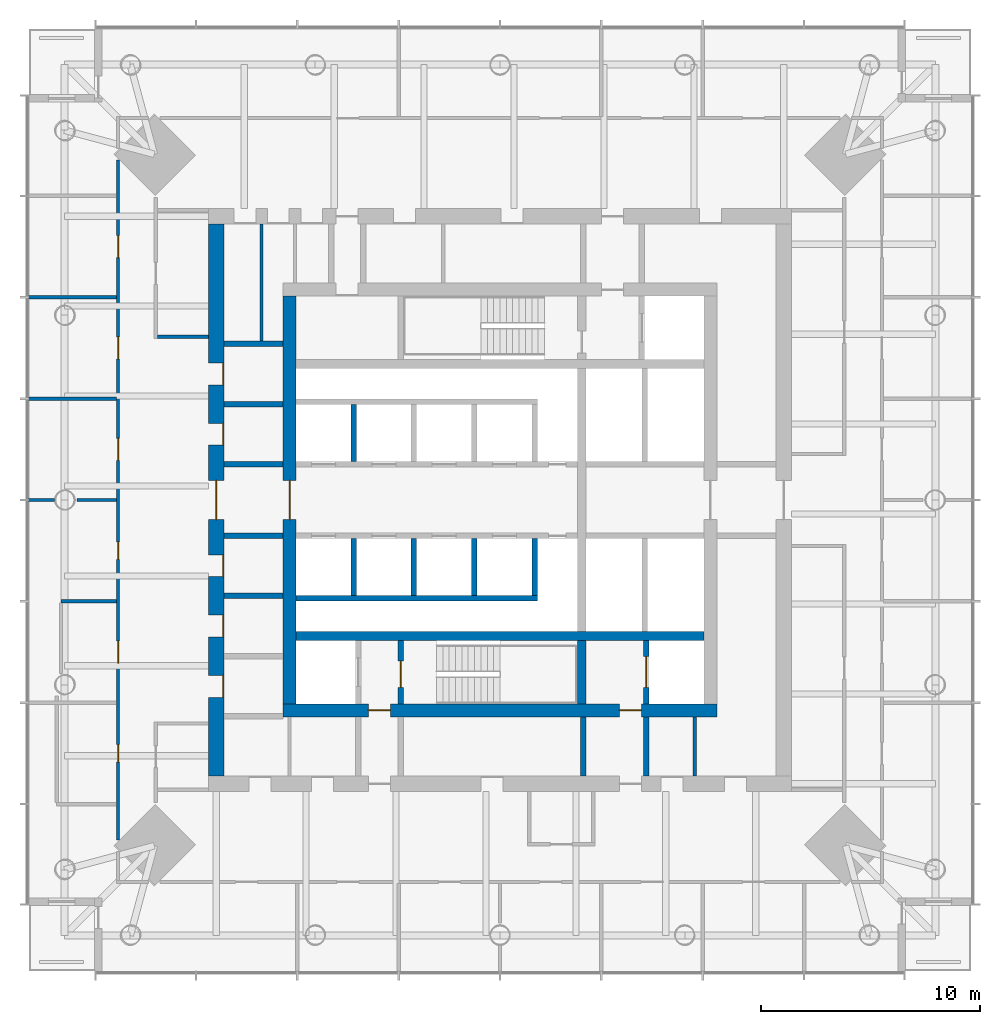
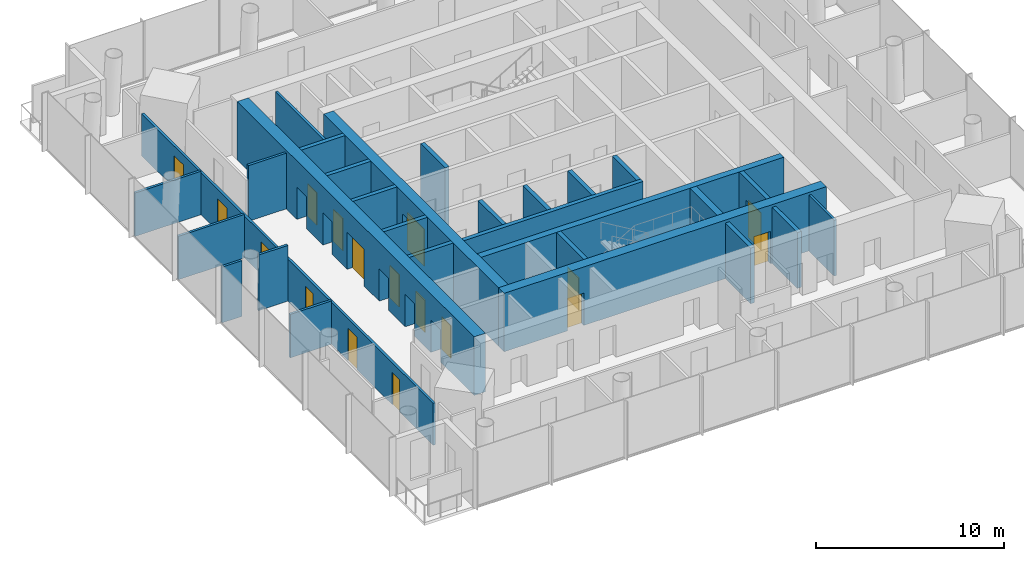
# One storey, part 5 of 9: 29 walls, 17 doors, 17 openings.
"""IFC4 building model written with IfcOpenShell, lengths in metres."""

from ifc_helpers import new_model, si_unit, direction, frame, frame_2d, origin, place, context, subcontext, project, spatial, rectangle, extrude, material, layer, layer_set, type_object, element, fill, save


model = new_model("IFC4")

# Units and contexts
model_context = context("Model", 3, precision=1e-05, world=origin(), true_north=direction((0.0, 1.0)))
body_context = subcontext(model_context, "Body", "Model", "MODEL_VIEW")
ifc_project = project(units=[si_unit("LENGTHUNIT", "METRE"), si_unit("AREAUNIT", "SQUARE_METRE"), si_unit("VOLUMEUNIT", "CUBIC_METRE"), si_unit("PLANEANGLEUNIT", "RADIAN"), si_unit("MASSUNIT", "GRAM", prefix="KILO")], contexts=[model_context])

# Site, building, storey
site_placement = place(None, origin())
site = spatial("IfcSite", under=ifc_project, at=site_placement, CompositionType="ELEMENT")
building_placement = place(site_placement, origin())
building = spatial("IfcBuilding", under=site, at=building_placement, Name="Ostroluk Exchange", CompositionType="ELEMENT")
storey_placement = place(building_placement, frame((0.0, 0.0, 150.199951171875)))
storey = spatial("IfcBuildingStorey", under=building, at=storey_placement, Name="L38", CompositionType="ELEMENT", Elevation=150.199951171875)

# Walls
ifc_material_1 = material(Name="Concrete blockwork", Category="masonry")
ifc_layer_1 = layer(ifc_material_1, 0.14990234375)
ifc_layer_set_1 = layer_set([ifc_layer_1], Name="Blockwork plant room wall 150")
wall_type_1 = type_object("IfcWallType", Name="Blockwork plant room wall 150", PredefinedType="SOLIDWALL", material=ifc_layer_set_1)
wall_1_placement = place(storey_placement, frame((34.118896484375, 53.25, 0.0), z_axis=(0.0, 0.0, 1.0), x_axis=(0.0, 1.0, 0.0)))
element("IfcWall", 1, at=wall_1_placement, inside=storey, type_object=wall_type_1, Name="Core room wall", PredefinedType="SOLIDWALL", context=body_context, shape_type="SweptSolid", body=[
    extrude(rectangle(XDim=5.35009765625, YDim=0.14990234375, at=frame_2d((2.675048828125, 0.0))), origin(), (0.0, 0.0, 1.0), 3.6201171875),
])
wall_2_placement = place(storey_placement, frame((53.887939453125, 33.39990234375, 0.0), z_axis=(0.0, 0.0, 1.0), x_axis=(0.0, 1.0, 0.0)))
element("IfcWall", 2, at=wall_2_placement, inside=storey, type_object=wall_type_1, Name="Core room wall", PredefinedType="SOLIDWALL", context=body_context, shape_type="SweptSolid", body=[
    extrude(rectangle(XDim=2.7001953125, YDim=0.14990234375, at=frame_2d((1.35009765625, 0.0))), origin(), (0.0, 0.0, 1.0), 3.6201171875),
])
ifc_material_2 = material(Name="Concrete blockwork", Category="masonry")
ifc_layer_2 = layer(ifc_material_2, 0.25)
ifc_layer_set_2 = layer_set([ifc_layer_2], Name="Blockwork stair enclosure wall 250")
wall_type_2 = type_object("IfcWallType", Name="Blockwork stair enclosure wall 250", PredefinedType="SOLIDWALL", material=ifc_layer_set_2)
for number, where, z_axis, x_axis, name in (
    (3, (48.804931640625, 33.39990234375, 0.0), (0.0, 0.0, 1.0), (0.0, 1.0, 0.0), "Service lobby enclosure wall"),
    (4, (51.675048828125, 33.39990234375, 0.0), (0.0, 0.0, 1.0), (0.0, 1.0, 0.0), "Service lobby enclosure wall"),
):
    element("IfcWall", number, at=place(storey_placement, frame(where, z_axis=z_axis, x_axis=x_axis)), inside=storey, type_object=wall_type_2, Name=name, PredefinedType="SOLIDWALL", context=body_context, shape_type="SweptSolid", body=[
        extrude(rectangle(XDim=2.7001953125, YDim=0.25, at=frame_2d((1.35009765625, 0.0))), origin(), (0.0, 0.0, 1.0), 3.6201171875),
    ])
ifc_material_3 = material(Name="Concrete C50/60", Category="concrete")
ifc_layer_3 = layer(ifc_material_3, 0.39990234375)
ifc_layer_set_3 = layer_set([ifc_layer_3], Name="Core cross wall 400 C50/60")
wall_type_3 = type_object("IfcWallType", Name="Core cross wall 400 C50/60", PredefinedType="SHEAR", material=ifc_layer_set_3)
wall_3_placement = place(storey_placement, frame((35.699951171875, 39.800048828125, 0.0), z_axis=(0.0, 0.0, 1.0), x_axis=(1.0, 0.0, 0.0)))
element("IfcWall", 5, at=wall_3_placement, inside=storey, type_object=wall_type_3, Name="T1 core wall XS", PredefinedType="SHEAR", context=body_context, shape_type="SweptSolid", body=[
    extrude(rectangle(XDim=18.60009765625, YDim=0.39990234375, at=frame_2d((9.300048828125, 0.0))), origin(), (0.0, 0.0, 1.0), 3.800048828125),
])
wall_4_placement = place(storey_placement, frame((48.72998046875, 36.699951171875, 0.0), z_axis=(0.0, 0.0, 1.0), x_axis=(0.0, 1.0, 0.0)))
element("IfcWall", 6, at=wall_4_placement, inside=storey, type_object=wall_type_3, Name="T1 core wall YE1", PredefinedType="SHEAR", context=body_context, shape_type="SweptSolid", body=[
    extrude(rectangle(XDim=2.900146484375, YDim=0.39990234375, at=frame_2d((1.4501953125, 0.0))), origin(), (0.0, 0.0, 1.0), 3.800048828125),
])

# Wall, opening, door
ifc_material_4 = material(Name="Concrete C40/50", Category="concrete")
ifc_layer_4 = layer(ifc_material_4, 0.25)
ifc_layer_set_4 = layer_set([ifc_layer_4], Name="Core shaft wall 250")
wall_type_4 = type_object("IfcWallType", Name="Core shaft wall 250", PredefinedType="SHEAR", material=ifc_layer_set_4)
wall_5_placement = place(storey_placement, frame((40.47509765625, 36.699951171875, 0.0), z_axis=(0.0, 0.0, 1.0), x_axis=(0.0, 1.0, 0.0)))
wall_5 = element("IfcWall", 7, at=wall_5_placement, inside=storey, type_object=wall_type_4, Name="Stair shaft wall", PredefinedType="SHEAR", context=body_context, shape_type="SweptSolid", body=[
    extrude(rectangle(XDim=2.900146484375, YDim=0.25, at=frame_2d((1.4501953125, 0.0))), origin(), (0.0, 0.0, 1.0), 3.800048828125),
])
opening_1_placement = place(wall_5_placement, frame((0.75, 0.0, 0.0)))
opening_1 = element("IfcOpeningElement", 8, at=opening_1_placement, cuts=wall_5, Name="Opening FD60S", PredefinedType="OPENING", context=body_context, shape_type="SweptSolid", body=[
    extrude(rectangle(XDim=1.199951171875, YDim=2.10009765625, at=frame_2d((0.60009765625, 1.050048828125))), frame((0.0, 0.135009765625, 0.0), z_axis=(0.0, -1.0, 0.0), x_axis=(1.0, 0.0, 0.0)), (0.0, 0.0, 1.0), 0.27001953125),
])
ifc_material_5 = material(Name="Steel", Category="steel")
door_type_1 = type_object("IfcDoorType", Name="Stair door EI 60 1200 x 2100", OperationType="SINGLE_SWING_LEFT", PredefinedType="DOOR", material=ifc_material_5)
door_1_placement = place(opening_1_placement, origin())
door_1 = element("IfcDoor", 9, at=door_1_placement, inside=storey, type_object=door_type_1, Name="Stair T1-S1 door", OperationType="SINGLE_SWING_LEFT", OverallHeight=2.10009765625, OverallWidth=1.199951171875, PredefinedType="DOOR", context=body_context, shape_type="SweptSolid", body=[
    extrude(rectangle(XDim=1.199951171875, YDim=2.10009765625, at=frame_2d((0.60009765625, 1.050048828125))), frame((0.0, 0.02490234375, 0.0), z_axis=(0.0, -1.0, 0.0), x_axis=(1.0, 0.0, 0.0)), (0.0, 0.0, 1.0), 0.050048828125),
])
fill(opening_1, door_1)

wall_6_placement = place(storey_placement, frame((51.675048828125, 36.699951171875, 0.0), z_axis=(0.0, 0.0, 1.0), x_axis=(0.0, 1.0, 0.0)))
wall_6 = element("IfcWall", 10, at=wall_6_placement, inside=storey, type_object=wall_type_4, Name="Service lift shaft wall", PredefinedType="SHEAR", context=body_context, shape_type="SweptSolid", body=[
    extrude(rectangle(XDim=2.900146484375, YDim=0.25, at=frame_2d((1.4501953125, 0.0))), origin(), (0.0, 0.0, 1.0), 3.800048828125),
])
opening_2_placement = place(wall_6_placement, frame((0.75, 0.0, 0.0)))
opening_2 = element("IfcOpeningElement", 11, at=opening_2_placement, cuts=wall_6, Name="Opening LD3", PredefinedType="OPENING", context=body_context, shape_type="SweptSolid", body=[
    extrude(rectangle(XDim=1.39990234375, YDim=2.39990234375, at=frame_2d((0.699951171875, 1.199951171875))), frame((0.0, 0.135009765625, 0.0), z_axis=(0.0, -1.0, 0.0), x_axis=(1.0, 0.0, 0.0)), (0.0, 0.0, 1.0), 0.27001953125),
])
ifc_material_6 = material(Name="Stainless steel", Category="steel")
door_type_2 = type_object("IfcDoorType", Name="Goods lift landing door E 60 1400 x 2400", OperationType="DOUBLE_DOOR_SLIDING", PredefinedType="DOOR", material=ifc_material_6)
door_2_placement = place(opening_2_placement, origin())
door_2 = element("IfcDoor", 12, at=door_2_placement, inside=storey, type_object=door_type_2, Name="Lift SL1 landing door", OperationType="DOUBLE_DOOR_SLIDING", OverallHeight=2.39990234375, OverallWidth=1.39990234375, PredefinedType="DOOR", context=body_context, shape_type="SweptSolid", body=[
    extrude(rectangle(XDim=1.39990234375, YDim=2.39990234375, at=frame_2d((0.699951171875, 1.199951171875))), frame((0.0, 0.02490234375, 0.0), z_axis=(0.0, -1.0, 0.0), x_axis=(1.0, 0.0, 0.0)), (0.0, 0.0, 1.0), 0.050048828125),
])
fill(opening_2, door_2)

# Walls
for number, where, z_axis, x_axis, name in (
    (13, (38.324951171875, 47.75, 0.0), (0.0, 0.0, 1.0), (0.0, 1.0, 0.0), "Lift shaft wall"),
    (14, (38.324951171875, 44.25, 0.0), (0.0, 0.0, 1.0), (0.0, -1.0, 0.0), "Lift shaft wall"),
    (15, (41.074951171875, 44.25, 0.0), (0.0, 0.0, 1.0), (0.0, -1.0, 0.0), "Lift shaft wall"),
    (16, (43.824951171875, 44.25, 0.0), (0.0, 0.0, 1.0), (0.0, -1.0, 0.0), "Lift shaft wall"),
    (17, (46.574951171875, 44.25, 0.0), (0.0, 0.0, 1.0), (0.0, -1.0, 0.0), "Lift shaft wall"),
):
    element("IfcWall", number, at=place(storey_placement, frame(where, z_axis=z_axis, x_axis=x_axis)), inside=storey, type_object=wall_type_4, Name=name, PredefinedType="SHEAR", context=body_context, shape_type="SweptSolid", body=[
        extrude(rectangle(XDim=2.60009765625, YDim=0.25, at=frame_2d((1.300048828125, 0.0))), origin(), (0.0, 0.0, 1.0), 3.800048828125),
    ])
wall_7_placement = place(storey_placement, frame((35.699951171875, 41.52490234375, 0.0), z_axis=(0.0, 0.0, 1.0), x_axis=(1.0, 0.0, 0.0)))
element("IfcWall", 18, at=wall_7_placement, inside=storey, type_object=wall_type_4, Name="Lift shaft wall", PredefinedType="SHEAR", context=body_context, shape_type="SweptSolid", body=[
    extrude(rectangle(XDim=11.0, YDim=0.25, at=frame_2d((5.5, 0.0))), origin(), (0.0, 0.0, 1.0), 3.800048828125),
])
for number, where, z_axis, x_axis, name in (
    (19, (32.39990234375, 41.625, 0.0), (0.0, 0.0, 1.0), (1.0, 0.0, 0.0), "Lift shaft wall"),
    (20, (32.39990234375, 44.375, 0.0), (0.0, 0.0, 1.0), (1.0, 0.0, 0.0), "Lift shaft wall"),
    (21, (32.39990234375, 47.625, 0.0), (0.0, 0.0, 1.0), (1.0, 0.0, 0.0), "Lift shaft wall"),
    (22, (32.39990234375, 50.375, 0.0), (0.0, 0.0, 1.0), (1.0, 0.0, 0.0), "Lift shaft wall"),
    (23, (32.39990234375, 53.125, 0.0), (0.0, 0.0, 1.0), (1.0, 0.0, 0.0), "Lift shaft wall"),
):
    element("IfcWall", number, at=place(storey_placement, frame(where, z_axis=z_axis, x_axis=x_axis)), inside=storey, type_object=wall_type_4, Name=name, PredefinedType="SHEAR", context=body_context, shape_type="SweptSolid", body=[
        extrude(rectangle(XDim=2.7001953125, YDim=0.25, at=frame_2d((1.35009765625, 0.0))), origin(), (0.0, 0.0, 1.0), 3.800048828125),
    ])

# Wall, openings, doors
ifc_material_7 = material(Name="Concrete C50/60", Category="concrete")
ifc_layer_5 = layer(ifc_material_7, 0.60009765625)
ifc_layer_set_5 = layer_set([ifc_layer_5], Name="Core wall 600 C50/60")
wall_type_5 = type_object("IfcWallType", Name="Core wall 600 C50/60", PredefinedType="SHEAR", material=ifc_layer_set_5)
wall_8_placement = place(storey_placement, frame((35.10009765625, 36.39990234375, 0.0), z_axis=(0.0, 0.0, 1.0), x_axis=(1.0, 0.0, 0.0)))
wall_8 = element("IfcWall", 24, at=wall_8_placement, inside=storey, type_object=wall_type_5, Name="T1 core wall S", PredefinedType="SHEAR", context=body_context, shape_type="SweptSolid", body=[
    extrude(rectangle(XDim=19.7998046875, YDim=0.60009765625, at=frame_2d((9.89990234375, 0.0))), origin(), (0.0, 0.0, 1.0), 3.800048828125),
])
opening_3_placement = place(wall_8_placement, frame((3.89990234375, 0.0, 0.0)))
opening_3 = element("IfcOpeningElement", 25, at=opening_3_placement, cuts=wall_8, Name="Opening FD60", PredefinedType="OPENING", context=body_context, shape_type="SweptSolid", body=[
    extrude(rectangle(XDim=1.0, YDim=2.10009765625, at=frame_2d((0.5, 1.050048828125))), frame((0.0, 0.31005859375, 0.0), z_axis=(0.0, -1.0, 0.0), x_axis=(1.0, 0.0, 0.0)), (0.0, 0.0, 1.0), 0.6201171875),
])
opening_4_placement = place(wall_8_placement, frame((15.35009765625, 0.0, 0.0)))
opening_4 = element("IfcOpeningElement", 26, at=opening_4_placement, cuts=wall_8, Name="Opening FD60", PredefinedType="OPENING", context=body_context, shape_type="SweptSolid", body=[
    extrude(rectangle(XDim=1.0, YDim=2.10009765625, at=frame_2d((0.5, 1.050048828125))), frame((0.0, 0.31005859375, 0.0), z_axis=(0.0, -1.0, 0.0), x_axis=(1.0, 0.0, 0.0)), (0.0, 0.0, 1.0), 0.6201171875),
])
ifc_material_8 = material(Name="Steel", Category="steel")
door_type_3 = type_object("IfcDoorType", Name="Fire door EI 60 1000 x 2100", OperationType="SINGLE_SWING_LEFT", PredefinedType="DOOR", material=ifc_material_8)
door_3_placement = place(opening_3_placement, origin())
door_3 = element("IfcDoor", 27, at=door_3_placement, inside=storey, type_object=door_type_3, Name="Firefighting lobby door", OperationType="SINGLE_SWING_LEFT", OverallHeight=2.10009765625, OverallWidth=1.0, PredefinedType="DOOR", context=body_context, shape_type="SweptSolid", body=[
    extrude(rectangle(XDim=1.0, YDim=2.10009765625, at=frame_2d((0.5, 1.050048828125))), frame((0.0, 0.02490234375, 0.0), z_axis=(0.0, -1.0, 0.0), x_axis=(1.0, 0.0, 0.0)), (0.0, 0.0, 1.0), 0.050048828125),
])
fill(opening_3, door_3)
door_4_placement = place(opening_4_placement, origin())
door_4 = element("IfcDoor", 28, at=door_4_placement, inside=storey, type_object=door_type_3, Name="Service lobby door", OperationType="SINGLE_SWING_RIGHT", OverallHeight=2.10009765625, OverallWidth=1.0, PredefinedType="DOOR", context=body_context, shape_type="SweptSolid", body=[
    extrude(rectangle(XDim=1.0, YDim=2.10009765625, at=frame_2d((0.5, 1.050048828125))), frame((0.0, 0.02490234375, 0.0), z_axis=(0.0, -1.0, 0.0), x_axis=(1.0, 0.0, 0.0)), (0.0, 0.0, 1.0), 0.050048828125),
])
fill(opening_4, door_4)

# Wall, opening, door
wall_9_placement = place(storey_placement, frame((35.39990234375, 36.699951171875, 0.0), z_axis=(0.0, 0.0, 1.0), x_axis=(0.0, 1.0, 0.0)))
wall_9 = element("IfcWall", 29, at=wall_9_placement, inside=storey, type_object=wall_type_5, Name="T1 core wall W", PredefinedType="SHEAR", context=body_context, shape_type="SweptSolid", body=[
    extrude(rectangle(XDim=18.60009765625, YDim=0.60009765625, at=frame_2d((9.300048828125, 0.0))), origin(), (0.0, 0.0, 1.0), 3.800048828125),
])
opening_5_placement = place(wall_9_placement, frame((8.39990234375, 0.0, 0.0)))
opening_5 = element("IfcOpeningElement", 30, at=opening_5_placement, cuts=wall_9, Name="Opening FD30D", PredefinedType="OPENING", context=body_context, shape_type="SweptSolid", body=[
    extrude(rectangle(XDim=1.800048828125, YDim=2.39990234375, at=frame_2d((0.89990234375, 1.199951171875))), frame((0.0, 0.31005859375, 0.0), z_axis=(0.0, -1.0, 0.0), x_axis=(1.0, 0.0, 0.0)), (0.0, 0.0, 1.0), 0.6201171875),
])
ifc_material_9 = material(Name="Timber", Category="wood")
door_type_4 = type_object("IfcDoorType", Name="Lobby double door EI 30 1800 x 2400", OperationType="DOUBLE_DOOR_SINGLE_SWING", PredefinedType="DOOR", material=ifc_material_9)
door_5_placement = place(opening_5_placement, origin())
door_5 = element("IfcDoor", 31, at=door_5_placement, inside=storey, type_object=door_type_4, Name="Lift lobby doors", OperationType="DOUBLE_DOOR_SINGLE_SWING", OverallHeight=2.39990234375, OverallWidth=1.800048828125, PredefinedType="DOOR", context=body_context, shape_type="SweptSolid", body=[
    extrude(rectangle(XDim=1.800048828125, YDim=2.39990234375, at=frame_2d((0.89990234375, 1.199951171875))), frame((0.0, 0.02490234375, 0.0), z_axis=(0.0, -1.0, 0.0), x_axis=(1.0, 0.0, 0.0)), (0.0, 0.0, 1.0), 0.050048828125),
])
fill(opening_5, door_5)

# Wall, openings, doors
ifc_material_10 = material(Name="Concrete C50/60", Category="concrete")
ifc_layer_6 = layer(ifc_material_10, 0.699951171875)
ifc_layer_set_6 = layer_set([ifc_layer_6], Name="Core wall 700 C50/60")
wall_type_6 = type_object("IfcWallType", Name="Core wall 700 C50/60", PredefinedType="SHEAR", material=ifc_layer_set_6)
wall_10_placement = place(storey_placement, frame((32.050048828125, 33.39990234375, 0.0), z_axis=(0.0, 0.0, 1.0), x_axis=(0.0, 1.0, 0.0)))
wall_10 = element("IfcWall", 32, at=wall_10_placement, inside=storey, type_object=wall_type_6, Name="T1 core wall RW", PredefinedType="SHEAR", context=body_context, shape_type="SweptSolid", body=[
    extrude(rectangle(XDim=25.2001953125, YDim=0.699951171875, at=frame_2d((12.60009765625, 0.0))), origin(), (0.0, 0.0, 1.0), 3.800048828125),
])
opening_6_placement = place(wall_10_placement, frame((11.699951171875, 0.0, 0.0)))
opening_6 = element("IfcOpeningElement", 33, at=opening_6_placement, cuts=wall_10, Name="Opening FD30D", PredefinedType="OPENING", context=body_context, shape_type="SweptSolid", body=[
    extrude(rectangle(XDim=1.800048828125, YDim=2.39990234375, at=frame_2d((0.89990234375, 1.199951171875))), frame((0.0, 0.35986328125, 0.0), z_axis=(0.0, -1.0, 0.0), x_axis=(1.0, 0.0, 0.0)), (0.0, 0.0, 1.0), 0.719970703125),
])
opening_7_placement = place(wall_10_placement, frame((3.60009765625, 0.0, 0.0)))
opening_7 = element("IfcOpeningElement", 34, at=opening_7_placement, cuts=wall_10, Name="Opening FD60", PredefinedType="OPENING", context=body_context, shape_type="SweptSolid", body=[
    extrude(rectangle(XDim=1.0, YDim=2.10009765625, at=frame_2d((0.5, 1.050048828125))), frame((0.0, 0.35986328125, 0.0), z_axis=(0.0, -1.0, 0.0), x_axis=(1.0, 0.0, 0.0)), (0.0, 0.0, 1.0), 0.719970703125),
])
opening_8_placement = place(wall_10_placement, frame((6.35009765625, 0.0, 0.0)))
opening_8 = element("IfcOpeningElement", 35, at=opening_8_placement, cuts=wall_10, Name="Opening FD60", PredefinedType="OPENING", context=body_context, shape_type="SweptSolid", body=[
    extrude(rectangle(XDim=1.0, YDim=2.10009765625, at=frame_2d((0.5, 1.050048828125))), frame((0.0, 0.35986328125, 0.0), z_axis=(0.0, -1.0, 0.0), x_axis=(1.0, 0.0, 0.0)), (0.0, 0.0, 1.0), 0.719970703125),
])
opening_9_placement = place(wall_10_placement, frame((9.10009765625, 0.0, 0.0)))
opening_9 = element("IfcOpeningElement", 36, at=opening_9_placement, cuts=wall_10, Name="Opening FD60", PredefinedType="OPENING", context=body_context, shape_type="SweptSolid", body=[
    extrude(rectangle(XDim=1.0, YDim=2.10009765625, at=frame_2d((0.5, 1.050048828125))), frame((0.0, 0.35986328125, 0.0), z_axis=(0.0, -1.0, 0.0), x_axis=(1.0, 0.0, 0.0)), (0.0, 0.0, 1.0), 0.719970703125),
])
opening_10_placement = place(wall_10_placement, frame((15.10009765625, 0.0, 0.0)))
opening_10 = element("IfcOpeningElement", 37, at=opening_10_placement, cuts=wall_10, Name="Opening FD60", PredefinedType="OPENING", context=body_context, shape_type="SweptSolid", body=[
    extrude(rectangle(XDim=1.0, YDim=2.10009765625, at=frame_2d((0.5, 1.050048828125))), frame((0.0, 0.35986328125, 0.0), z_axis=(0.0, -1.0, 0.0), x_axis=(1.0, 0.0, 0.0)), (0.0, 0.0, 1.0), 0.719970703125),
])
opening_11_placement = place(wall_10_placement, frame((17.85009765625, 0.0, 0.0)))
opening_11 = element("IfcOpeningElement", 38, at=opening_11_placement, cuts=wall_10, Name="Opening FD60", PredefinedType="OPENING", context=body_context, shape_type="SweptSolid", body=[
    extrude(rectangle(XDim=1.0, YDim=2.10009765625, at=frame_2d((0.5, 1.050048828125))), frame((0.0, 0.35986328125, 0.0), z_axis=(0.0, -1.0, 0.0), x_axis=(1.0, 0.0, 0.0)), (0.0, 0.0, 1.0), 0.719970703125),
])
door_6_placement = place(opening_7_placement, origin())
door_6 = element("IfcDoor", 39, at=door_6_placement, inside=storey, type_object=door_type_3, Name="Cleaner's store door", OperationType="SINGLE_SWING_LEFT", OverallHeight=2.10009765625, OverallWidth=1.0, PredefinedType="DOOR", context=body_context, shape_type="SweptSolid", body=[
    extrude(rectangle(XDim=1.0, YDim=2.10009765625, at=frame_2d((0.5, 1.050048828125))), frame((0.0, -0.2900390625, 0.0), z_axis=(0.0, -1.0, 0.0), x_axis=(1.0, 0.0, 0.0)), (0.0, 0.0, 1.0), 0.050048828125),
])
fill(opening_7, door_6)
door_7_placement = place(opening_8_placement, origin())
door_7 = element("IfcDoor", 40, at=door_7_placement, inside=storey, type_object=door_type_3, Name="Comms room door", OperationType="SINGLE_SWING_LEFT", OverallHeight=2.10009765625, OverallWidth=1.0, PredefinedType="DOOR", context=body_context, shape_type="SweptSolid", body=[
    extrude(rectangle(XDim=1.0, YDim=2.10009765625, at=frame_2d((0.5, 1.050048828125))), frame((0.0, -0.2900390625, 0.0), z_axis=(0.0, -1.0, 0.0), x_axis=(1.0, 0.0, 0.0)), (0.0, 0.0, 1.0), 0.050048828125),
])
fill(opening_8, door_7)
door_8_placement = place(opening_9_placement, origin())
door_8 = element("IfcDoor", 41, at=door_8_placement, inside=storey, type_object=door_type_3, Name="Cleaner's store door", OperationType="SINGLE_SWING_LEFT", OverallHeight=2.10009765625, OverallWidth=1.0, PredefinedType="DOOR", context=body_context, shape_type="SweptSolid", body=[
    extrude(rectangle(XDim=1.0, YDim=2.10009765625, at=frame_2d((0.5, 1.050048828125))), frame((0.0, -0.2900390625, 0.0), z_axis=(0.0, -1.0, 0.0), x_axis=(1.0, 0.0, 0.0)), (0.0, 0.0, 1.0), 0.050048828125),
])
fill(opening_9, door_8)
door_9_placement = place(opening_10_placement, origin())
door_9 = element("IfcDoor", 42, at=door_9_placement, inside=storey, type_object=door_type_3, Name="Comms room door", OperationType="SINGLE_SWING_RIGHT", OverallHeight=2.10009765625, OverallWidth=1.0, PredefinedType="DOOR", context=body_context, shape_type="SweptSolid", body=[
    extrude(rectangle(XDim=1.0, YDim=2.10009765625, at=frame_2d((0.5, 1.050048828125))), frame((0.0, -0.2900390625, 0.0), z_axis=(0.0, -1.0, 0.0), x_axis=(1.0, 0.0, 0.0)), (0.0, 0.0, 1.0), 0.050048828125),
])
fill(opening_10, door_9)
door_10_placement = place(opening_11_placement, origin())
door_10 = element("IfcDoor", 43, at=door_10_placement, inside=storey, type_object=door_type_3, Name="Cleaner's store door", OperationType="SINGLE_SWING_RIGHT", OverallHeight=2.10009765625, OverallWidth=1.0, PredefinedType="DOOR", context=body_context, shape_type="SweptSolid", body=[
    extrude(rectangle(XDim=1.0, YDim=2.10009765625, at=frame_2d((0.5, 1.050048828125))), frame((0.0, -0.2900390625, 0.0), z_axis=(0.0, -1.0, 0.0), x_axis=(1.0, 0.0, 0.0)), (0.0, 0.0, 1.0), 0.050048828125),
])
fill(opening_11, door_10)
door_11_placement = place(opening_6_placement, origin())
door_11 = element("IfcDoor", 44, at=door_11_placement, inside=storey, type_object=door_type_4, Name="Lift lobby doors", OperationType="DOUBLE_DOOR_SINGLE_SWING", OverallHeight=2.39990234375, OverallWidth=1.800048828125, PredefinedType="DOOR", context=body_context, shape_type="SweptSolid", body=[
    extrude(rectangle(XDim=1.800048828125, YDim=2.39990234375, at=frame_2d((0.89990234375, 1.199951171875))), frame((0.0, 0.02490234375, 0.0), z_axis=(0.0, -1.0, 0.0), x_axis=(1.0, 0.0, 0.0)), (0.0, 0.0, 1.0), 0.050048828125),
])
fill(opening_6, door_11)

# Wall
ifc_material_11 = material(Name="Gypsum plasterboard partition", Category="gypsum")
ifc_layer_7 = layer(ifc_material_11, 0.14990234375)
ifc_layer_set_7 = layer_set([ifc_layer_7], Name="Plasterboard partition 150")
wall_type_7 = type_object("IfcWallType", Name="Plasterboard partition 150", PredefinedType="PARTITIONING", material=ifc_layer_set_7)
wall_11_placement = place(storey_placement, frame((31.699951171875, 53.449951171875, 0.0), z_axis=(0.0, 0.0, 1.0), x_axis=(-1.0, 0.0, 0.0)))
element("IfcWall", 45, at=wall_11_placement, inside=storey, type_object=wall_type_7, Name="Partition", PredefinedType="PARTITIONING", context=body_context, shape_type="SweptSolid", body=[
    extrude(rectangle(XDim=2.324951171875, YDim=0.14990234375, at=frame_2d((1.16259765625, 0.0))), origin(), (0.0, 0.0, 1.0), 3.6201171875),
])

# Wall, openings, doors
wall_12_placement = place(storey_placement, frame((27.574951171875, 61.511474609375, 0.0), z_axis=(0.0, 0.0, 1.0), x_axis=(0.0, -1.0, 0.0)))
wall_12 = element("IfcWall", 46, at=wall_12_placement, inside=storey, type_object=wall_type_7, Name="Partition", PredefinedType="PARTITIONING", context=body_context, shape_type="SweptSolid", body=[
    extrude(rectangle(XDim=31.02294921875, YDim=0.14990234375, at=frame_2d((15.511474609375, 0.0))), origin(), (0.0, 0.0, 1.0), 2.719970703125),
])
opening_12_placement = place(wall_12_placement, frame((3.448974609375, 0.0, 0.0)))
opening_12 = element("IfcOpeningElement", 47, at=opening_12_placement, cuts=wall_12, Name="Opening D-03", PredefinedType="OPENING", context=body_context, shape_type="SweptSolid", body=[
    extrude(rectangle(XDim=1.0, YDim=2.10009765625, at=frame_2d((0.5, 1.050048828125))), frame((0.0, 0.0849609375, 0.0), z_axis=(0.0, -1.0, 0.0), x_axis=(1.0, 0.0, 0.0)), (0.0, 0.0, 1.0), 0.169921875),
])
opening_13_placement = place(wall_12_placement, frame((8.073974609375, 0.0, 0.0)))
opening_13 = element("IfcOpeningElement", 48, at=opening_13_placement, cuts=wall_12, Name="Opening D-03", PredefinedType="OPENING", context=body_context, shape_type="SweptSolid", body=[
    extrude(rectangle(XDim=1.0, YDim=2.10009765625, at=frame_2d((0.5, 1.050048828125))), frame((0.0, 0.0849609375, 0.0), z_axis=(0.0, -1.0, 0.0), x_axis=(1.0, 0.0, 0.0)), (0.0, 0.0, 1.0), 0.169921875),
])
opening_14_placement = place(wall_12_placement, frame((12.698974609375, 0.0, 0.0)))
opening_14 = element("IfcOpeningElement", 49, at=opening_14_placement, cuts=wall_12, Name="Opening D-03", PredefinedType="OPENING", context=body_context, shape_type="SweptSolid", body=[
    extrude(rectangle(XDim=1.0, YDim=2.10009765625, at=frame_2d((0.5, 1.050048828125))), frame((0.0, 0.0849609375, 0.0), z_axis=(0.0, -1.0, 0.0), x_axis=(1.0, 0.0, 0.0)), (0.0, 0.0, 1.0), 0.169921875),
])
opening_15_placement = place(wall_12_placement, frame((17.424072265625, 0.0, 0.0)))
opening_15 = element("IfcOpeningElement", 50, at=opening_15_placement, cuts=wall_12, Name="Opening D-06", PredefinedType="OPENING", context=body_context, shape_type="SweptSolid", body=[
    extrude(rectangle(XDim=0.800048828125, YDim=2.10009765625, at=frame_2d((0.39990234375, 1.050048828125))), frame((0.0, 0.0849609375, 0.0), z_axis=(0.0, -1.0, 0.0), x_axis=(1.0, 0.0, 0.0)), (0.0, 0.0, 1.0), 0.169921875),
])
opening_16_placement = place(wall_12_placement, frame((21.948974609375, 0.0, 0.0)))
opening_16 = element("IfcOpeningElement", 51, at=opening_16_placement, cuts=wall_12, Name="Opening D-03", PredefinedType="OPENING", context=body_context, shape_type="SweptSolid", body=[
    extrude(rectangle(XDim=1.0, YDim=2.10009765625, at=frame_2d((0.5, 1.050048828125))), frame((0.0, 0.0849609375, 0.0), z_axis=(0.0, -1.0, 0.0), x_axis=(1.0, 0.0, 0.0)), (0.0, 0.0, 1.0), 0.169921875),
])
opening_17_placement = place(wall_12_placement, frame((26.674072265625, 0.0, 0.0)))
opening_17 = element("IfcOpeningElement", 52, at=opening_17_placement, cuts=wall_12, Name="Opening D-06", PredefinedType="OPENING", context=body_context, shape_type="SweptSolid", body=[
    extrude(rectangle(XDim=0.800048828125, YDim=2.10009765625, at=frame_2d((0.39990234375, 1.050048828125))), frame((0.0, 0.0849609375, 0.0), z_axis=(0.0, -1.0, 0.0), x_axis=(1.0, 0.0, 0.0)), (0.0, 0.0, 1.0), 0.169921875),
])
ifc_material_12 = material(Name="Timber", Category="wood")
door_type_5 = type_object("IfcDoorType", Name="Internal door 1000 x 2100", OperationType="SINGLE_SWING_LEFT", PredefinedType="DOOR", material=ifc_material_12)
door_12_placement = place(opening_12_placement, origin())
door_12 = element("IfcDoor", 53, at=door_12_placement, inside=storey, type_object=door_type_5, Name="Office door", OperationType="SINGLE_SWING_LEFT", OverallHeight=2.10009765625, OverallWidth=1.0, PredefinedType="DOOR", context=body_context, shape_type="SweptSolid", body=[
    extrude(rectangle(XDim=1.0, YDim=2.10009765625, at=frame_2d((0.5, 1.050048828125))), frame((0.0, 0.02490234375, 0.0), z_axis=(0.0, -1.0, 0.0), x_axis=(1.0, 0.0, 0.0)), (0.0, 0.0, 1.0), 0.050048828125),
])
fill(opening_12, door_12)
door_13_placement = place(opening_13_placement, origin())
door_13 = element("IfcDoor", 54, at=door_13_placement, inside=storey, type_object=door_type_5, Name="Meeting room door", OperationType="SINGLE_SWING_LEFT", OverallHeight=2.10009765625, OverallWidth=1.0, PredefinedType="DOOR", context=body_context, shape_type="SweptSolid", body=[
    extrude(rectangle(XDim=1.0, YDim=2.10009765625, at=frame_2d((0.5, 1.050048828125))), frame((0.0, 0.02490234375, 0.0), z_axis=(0.0, -1.0, 0.0), x_axis=(1.0, 0.0, 0.0)), (0.0, 0.0, 1.0), 0.050048828125),
])
fill(opening_13, door_13)
door_14_placement = place(opening_14_placement, origin())
door_14 = element("IfcDoor", 55, at=door_14_placement, inside=storey, type_object=door_type_5, Name="Pantry door", OperationType="SINGLE_SWING_LEFT", OverallHeight=2.10009765625, OverallWidth=1.0, PredefinedType="DOOR", context=body_context, shape_type="SweptSolid", body=[
    extrude(rectangle(XDim=1.0, YDim=2.10009765625, at=frame_2d((0.5, 1.050048828125))), frame((0.0, 0.02490234375, 0.0), z_axis=(0.0, -1.0, 0.0), x_axis=(1.0, 0.0, 0.0)), (0.0, 0.0, 1.0), 0.050048828125),
])
fill(opening_14, door_14)
door_15_placement = place(opening_16_placement, origin())
door_15 = element("IfcDoor", 56, at=door_15_placement, inside=storey, type_object=door_type_5, Name="Accessible WC door", OperationType="SINGLE_SWING_RIGHT", OverallHeight=2.10009765625, OverallWidth=1.0, PredefinedType="DOOR", context=body_context, shape_type="SweptSolid", body=[
    extrude(rectangle(XDim=1.0, YDim=2.10009765625, at=frame_2d((0.5, 1.050048828125))), frame((0.0, 0.02490234375, 0.0), z_axis=(0.0, -1.0, 0.0), x_axis=(1.0, 0.0, 0.0)), (0.0, 0.0, 1.0), 0.050048828125),
])
fill(opening_16, door_15)
ifc_material_13 = material(Name="Timber", Category="wood")
door_type_6 = type_object("IfcDoorType", Name="Toilet door 800 x 2100", OperationType="SINGLE_SWING_LEFT", PredefinedType="DOOR", material=ifc_material_13)
door_16_placement = place(opening_15_placement, origin())
door_16 = element("IfcDoor", 57, at=door_16_placement, inside=storey, type_object=door_type_6, Name="WC female door", OperationType="SINGLE_SWING_RIGHT", OverallHeight=2.10009765625, OverallWidth=0.800048828125, PredefinedType="DOOR", context=body_context, shape_type="SweptSolid", body=[
    extrude(rectangle(XDim=0.800048828125, YDim=2.10009765625, at=frame_2d((0.39990234375, 1.050048828125))), frame((0.0, 0.02490234375, 0.0), z_axis=(0.0, -1.0, 0.0), x_axis=(1.0, 0.0, 0.0)), (0.0, 0.0, 1.0), 0.050048828125),
])
fill(opening_15, door_16)
door_17_placement = place(opening_17_placement, origin())
door_17 = element("IfcDoor", 58, at=door_17_placement, inside=storey, type_object=door_type_6, Name="WC male door", OperationType="SINGLE_SWING_RIGHT", OverallHeight=2.10009765625, OverallWidth=0.800048828125, PredefinedType="DOOR", context=body_context, shape_type="SweptSolid", body=[
    extrude(rectangle(XDim=0.800048828125, YDim=2.10009765625, at=frame_2d((0.39990234375, 1.050048828125))), frame((0.0, 0.02490234375, 0.0), z_axis=(0.0, -1.0, 0.0), x_axis=(1.0, 0.0, 0.0)), (0.0, 0.0, 1.0), 0.050048828125),
])
fill(opening_17, door_17)

# Walls
for number, where, z_axis, x_axis, name in (
    (59, (27.5, 55.25, 0.0), (0.0, 0.0, 1.0), (-1.0, 0.0, 0.0), "Partition"),
    (60, (27.5, 50.625, 0.0), (0.0, 0.0, 1.0), (-1.0, 0.0, 0.0), "Partition"),
):
    element("IfcWall", number, at=place(storey_placement, frame(where, z_axis=z_axis, x_axis=x_axis)), inside=storey, type_object=wall_type_7, Name=name, PredefinedType="PARTITIONING", context=body_context, shape_type="SweptSolid", body=[
        extrude(rectangle(XDim=4.0400390625, YDim=0.14990234375, at=frame_2d((2.02001953125, 0.0))), origin(), (0.0, 0.0, 1.0), 2.820068359375),
    ])
wall_13_placement = place(storey_placement, frame((27.5, 46.0, 0.0), z_axis=(0.0, 0.0, 1.0), x_axis=(-1.0, 0.0, 0.0)))
element("IfcWall", 61, at=wall_13_placement, inside=storey, type_object=wall_type_7, Name="Partition", PredefinedType="PARTITIONING", context=body_context, shape_type="SweptSolid", body=[
    extrude(rectangle(XDim=1.79296875, YDim=0.14990234375, at=frame_2d((0.896484375, 0.0))), origin(), (0.0, 0.0, 1.0), 3.6201171875),
])
wall_14_placement = place(storey_placement, frame((24.671630859375, 46.0, 0.0), z_axis=(0.0, 0.0, 1.0), x_axis=(-1.0, 0.0, 0.0)))
element("IfcWall", 62, at=wall_14_placement, inside=storey, type_object=wall_type_7, Name="Partition", PredefinedType="PARTITIONING", context=body_context, shape_type="SweptSolid", body=[
    extrude(rectangle(XDim=1.211669921875, YDim=0.14990234375, at=frame_2d((0.60595703125, 0.0))), origin(), (0.0, 0.0, 1.0), 3.6201171875),
])
wall_15_placement = place(storey_placement, frame((27.5, 41.375, 0.0), z_axis=(0.0, 0.0, 1.0), x_axis=(-1.0, 0.0, 0.0)))
element("IfcWall", 63, at=wall_15_placement, inside=storey, type_object=wall_type_7, Name="Partition", PredefinedType="PARTITIONING", context=body_context, shape_type="SweptSolid", body=[
    extrude(rectangle(XDim=2.52490234375, YDim=0.14990234375, at=frame_2d((1.262451171875, 0.0))), origin(), (0.0, 0.0, 1.0), 2.820068359375),
])

save(model, "model.ifc")
